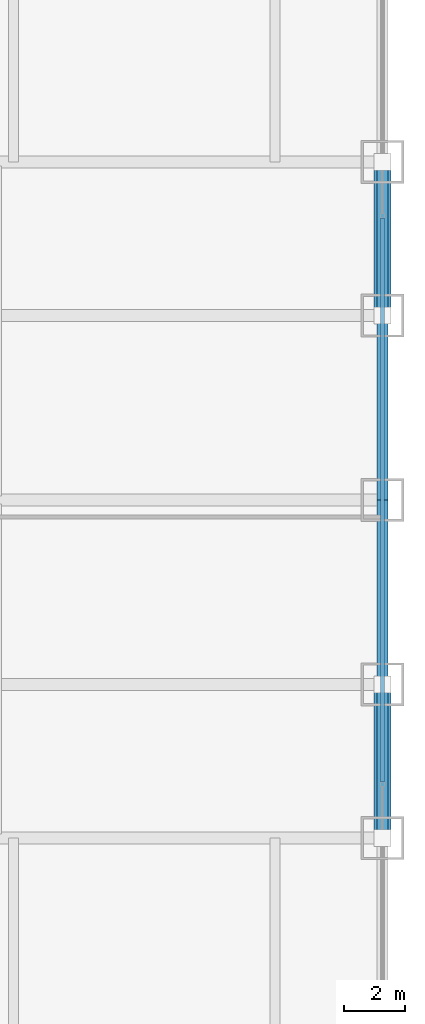
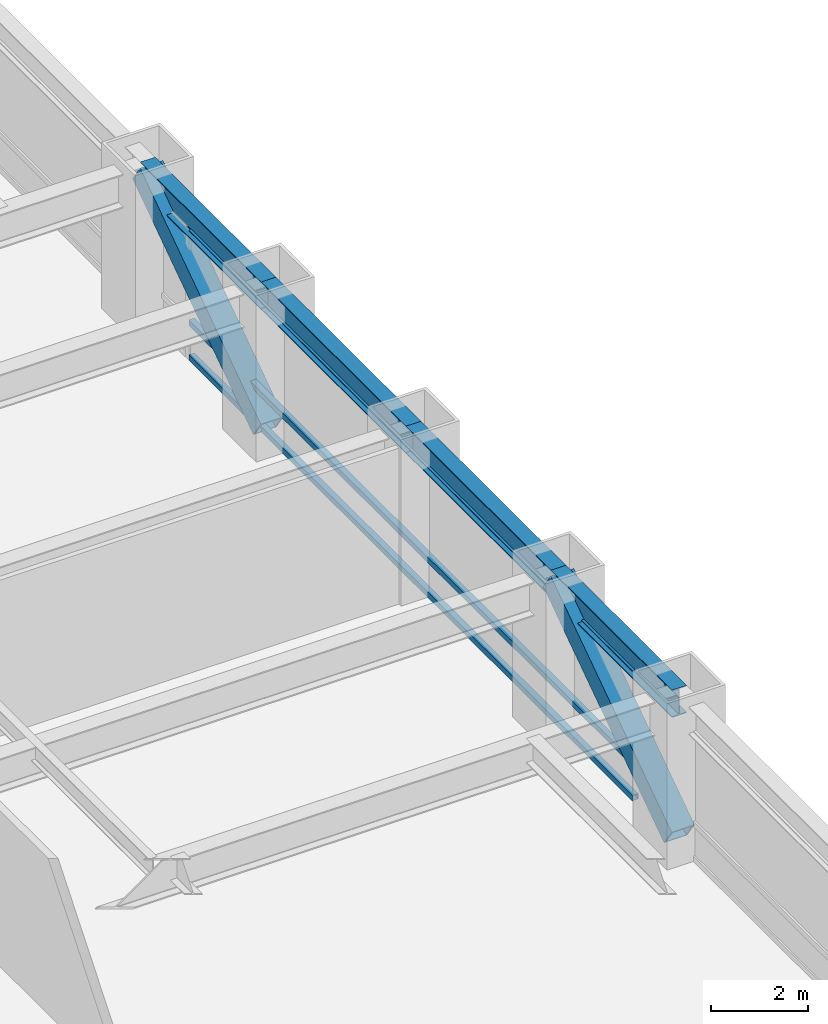
# One storey, part 17 of 28: 5 members, 4 beams, 1 element without a shape of its own.
"""IFC4 building model written with IfcOpenShell, lengths in metres."""

from ifc_helpers import new_model, si_unit, direction, frame, origin, origin_2d, place, context, subcontext, project, spatial, hollow_rectangle, i_section, extrude, source, transform, mapped, material, material_profile, profile_set, type_object, element, aggregate, save


model = new_model("IFC4")

# Units and contexts
model_context = context("Model", 3, precision=1e-05, world=origin(), true_north=direction((0.0, 1.0)))
body_context = subcontext(model_context, "Body", "Model", "MODEL_VIEW")
ifc_project = project(units=[si_unit("LENGTHUNIT", "METRE"), si_unit("AREAUNIT", "SQUARE_METRE"), si_unit("VOLUMEUNIT", "CUBIC_METRE"), si_unit("PLANEANGLEUNIT", "RADIAN"), si_unit("MASSUNIT", "GRAM", prefix="KILO")], contexts=[model_context])

# Site, building, storey
site_placement = place(None, origin())
site = spatial("IfcSite", under=ifc_project, at=site_placement, CompositionType="ELEMENT")
building_placement = place(site_placement, origin())
building = spatial("IfcBuilding", under=site, at=building_placement, Name="Khorayat Bourse Tower", CompositionType="ELEMENT")
storey_placement = place(building_placement, frame((0.0, 0.0, 62.0)))
storey = spatial("IfcBuildingStorey", under=building, at=storey_placement, Name="L13", CompositionType="ELEMENT", Elevation=62.0)

# Beams
ifc_material_1 = material(Name="Steel ASTM A992 Grade 50", Category="steel")
ifc_material_profile_1 = material_profile(ifc_material_1, i_section(OverallWidth=0.35498046875, OverallDepth=0.695068359375, WebThickness=0.015380859375, FlangeThickness=0.02490234375, FilletRadius=0.01806640625, at=origin_2d()), Name="W690X217")
ifc_profile_set_1 = profile_set([ifc_material_profile_1], Name="Steel ASTM A992 Grade 50")
beam_type = type_object("IfcBeamType", Name="BM-SPAN-690", PredefinedType="SPANDREL", material=ifc_profile_set_1)
shared_shape_1 = source(origin(), body_context, "Body", "SweptSolid", [
    extrude(i_section(OverallWidth=0.35498046875, OverallDepth=0.695068359375, WebThickness=0.015380859375, FlangeThickness=0.02490234375, FilletRadius=0.01806640625, at=origin_2d()), origin(), (0.0, 0.0, 1.0), 5.0),
])
for number, where, z_axis, x_axis, name in (
    (1, (32.0, -11.0, 3.592529296875), (0.0, 1.0, 0.0), (-1.0, 0.0, 0.0), "L13 BM-SPAN-690 BM-L13-SPN-036"),
    (2, (32.0, 6.0, 3.592529296875), (0.0, 1.0, 0.0), (-1.0, 0.0, 0.0), "L13 BM-SPAN-690 BM-L13-SPN-039"),
):
    element("IfcBeam", number, at=place(storey_placement, frame(where, z_axis=z_axis, x_axis=x_axis)), inside=storey, type_object=beam_type, Name=name, PredefinedType="SPANDREL", context=body_context, shape_type="MappedRepresentation", body=[
        mapped(shared_shape_1, transform((0.0, 0.0, 0.0), scale=1.0)),
    ])
shared_shape_2 = source(origin(), body_context, "Body", "SweptSolid", [
    extrude(i_section(OverallWidth=0.35498046875, OverallDepth=0.695068359375, WebThickness=0.015380859375, FlangeThickness=0.02490234375, FilletRadius=0.01806640625, at=origin_2d()), origin(), (0.0, 0.0, 1.0), 6.0),
])
for number, where, z_axis, x_axis, name in (
    (3, (32.0, -6.0, 3.592529296875), (0.0, 1.0, 0.0), (-1.0, 0.0, 0.0), "L13 BM-SPAN-690 BM-L13-SPN-037"),
    (4, (32.0, 0.0, 3.592529296875), (0.0, 1.0, 0.0), (-1.0, 0.0, 0.0), "L13 BM-SPAN-690 BM-L13-SPN-038"),
):
    element("IfcBeam", number, at=place(storey_placement, frame(where, z_axis=z_axis, x_axis=x_axis)), inside=storey, type_object=beam_type, Name=name, PredefinedType="SPANDREL", context=body_context, shape_type="MappedRepresentation", body=[
        mapped(shared_shape_2, transform((0.0, 0.0, 0.0), scale=1.0)),
    ])

# Members
ifc_material_2 = material(Name="Steel EN 10025-4 S460M", Category="steel")
ifc_material_profile_2 = material_profile(ifc_material_2, hollow_rectangle(XDim=0.550048828125, YDim=0.550048828125, WallThickness=0.031982421875, at=origin_2d()), Name="HSS 550x550x32")
ifc_profile_set_2 = profile_set([ifc_material_profile_2], Name="Steel EN 10025-4 S460M")
member_type_1 = type_object("IfcMemberType", Name="MBR-TUBE-550", PredefinedType="BRACE", material=ifc_profile_set_2)
shared_shape_3 = source(origin(), body_context, "Body", "SweptSolid", [
    extrude(hollow_rectangle(XDim=0.550048828125, YDim=0.550048828125, WallThickness=0.031982421875, at=origin_2d()), origin(), (0.0, 0.0, 1.0), 6.069091796875),
])
for number, where, z_axis, x_axis, name in (
    (5, (32.0, -11.0, 0.25), (0.0, 0.823854080622, 0.566801952928), (-1.0, 0.0, 0.0), "L13 Perimeter Tube Brace 07"),
    (6, (32.0, 6.0, 0.25), (0.0, 0.823854080622, 0.566801952928), (-1.0, 0.0, 0.0), "L13 Perimeter Tube Brace 08"),
):
    element("IfcMember", number, at=place(storey_placement, frame(where, z_axis=z_axis, x_axis=x_axis)), inside=storey, type_object=member_type_1, Name=name, PredefinedType="BRACE", context=body_context, shape_type="MappedRepresentation", body=[
        mapped(shared_shape_3, transform((0.0, 0.0, 0.0), scale=1.0)),
    ])

# Curtain wall, members
ifc_material_3 = material(Name="Aluminium EN AW-6063 T6", Category="aluminium")
curtain_wall_type = type_object("IfcCurtainWallType", Name="CW-SYS-02", PredefinedType="NOTDEFINED", material=ifc_material_3)
curtain_wall_placement = place(storey_placement, origin())
curtain_wall = element("IfcCurtainWall", 7, at=curtain_wall_placement, inside=storey, type_object=curtain_wall_type, Name="L13 Curtain Wall CW-L13-E1", PredefinedType="NOTDEFINED")
ifc_material_profile_3 = material_profile(ifc_material_3, hollow_rectangle(XDim=0.139892578125, YDim=0.139892578125, WallThickness=0.006103515625, at=origin_2d()), Name="ALU 140x140x6")
ifc_profile_set_3 = profile_set([ifc_material_profile_3], Name="Aluminium EN AW-6063 T6")
member_type_2 = type_object("IfcMemberType", Name="CWT-HORZ-140", PredefinedType="USERDEFINED", material=ifc_profile_set_3)
shared_shape_4 = source(origin(), body_context, "Body", "SweptSolid", [
    extrude(hollow_rectangle(XDim=0.139892578125, YDim=0.139892578125, WallThickness=0.006103515625, at=origin_2d()), origin(), (0.0, 0.0, 1.0), 18.35986328125),
])
member_1_placement = place(storey_placement, frame((32.0, -9.179931640625, 0.070068359375), z_axis=(0.0, 1.0, 0.0), x_axis=(-1.0, 0.0, 0.0)))
member_1 = element("IfcMember", 8, at=member_1_placement, type_object=member_type_2, Name="CW-L13-E1 Horizontal Transom 2-1", ObjectType="TRANSOM", PredefinedType="USERDEFINED", context=body_context, shape_type="MappedRepresentation", body=[
    mapped(shared_shape_4, transform((0.0, 0.0, 0.0), scale=1.0)),
])
member_2_placement = place(storey_placement, frame((32.0, -9.179931640625, 0.949951171875), z_axis=(0.0, 1.0, 0.0), x_axis=(-1.0, 0.0, 0.0)))
member_2 = element("IfcMember", 9, at=member_2_placement, type_object=member_type_2, Name="CW-L13-E1 Horizontal Transom 2-2", ObjectType="TRANSOM", PredefinedType="USERDEFINED", context=body_context, shape_type="MappedRepresentation", body=[
    mapped(shared_shape_4, transform((0.0, 0.0, 0.0), scale=1.0)),
])
member_3_placement = place(storey_placement, frame((32.0, -9.179931640625, 3.219970703125), z_axis=(0.0, 1.0, 0.0), x_axis=(-1.0, 0.0, 0.0)))
member_3 = element("IfcMember", 10, at=member_3_placement, type_object=member_type_2, Name="CW-L13-E1 Horizontal Transom 2-3", ObjectType="TRANSOM", PredefinedType="USERDEFINED", context=body_context, shape_type="MappedRepresentation", body=[
    mapped(shared_shape_4, transform((0.0, 0.0, 0.0), scale=1.0)),
])
aggregate(curtain_wall, [member_1, member_2, member_3])

save(model, "model.ifc")
